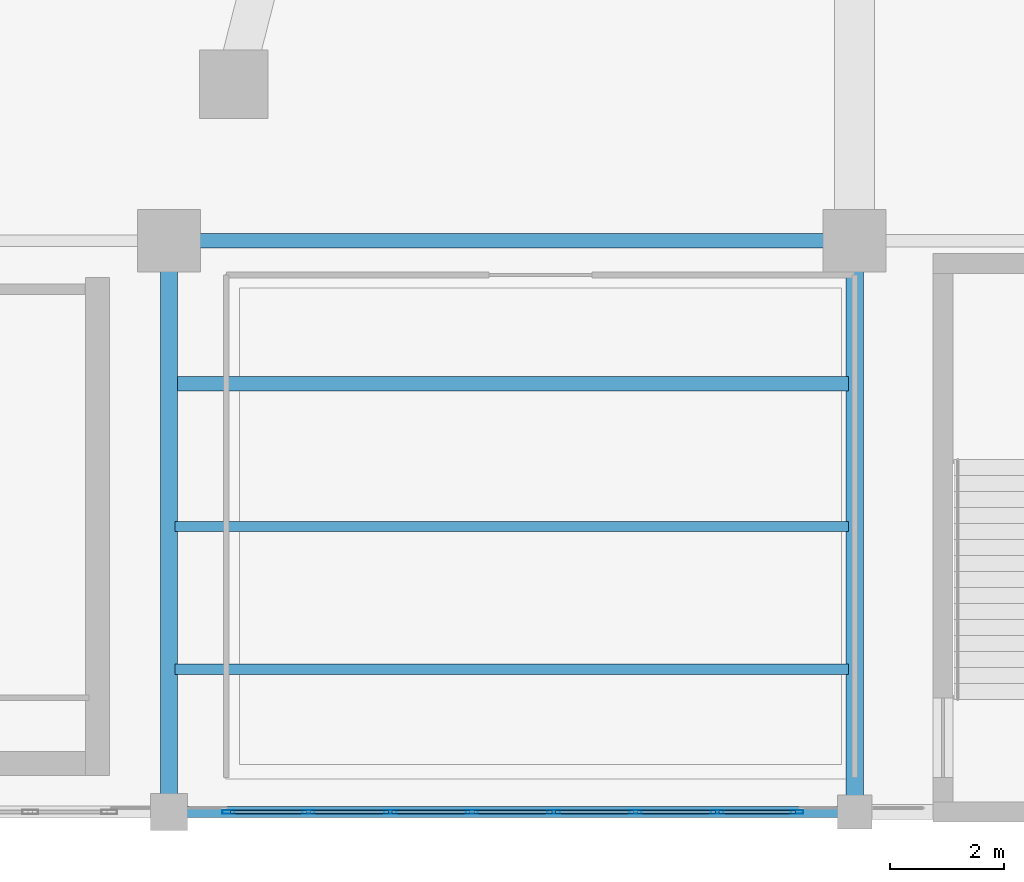
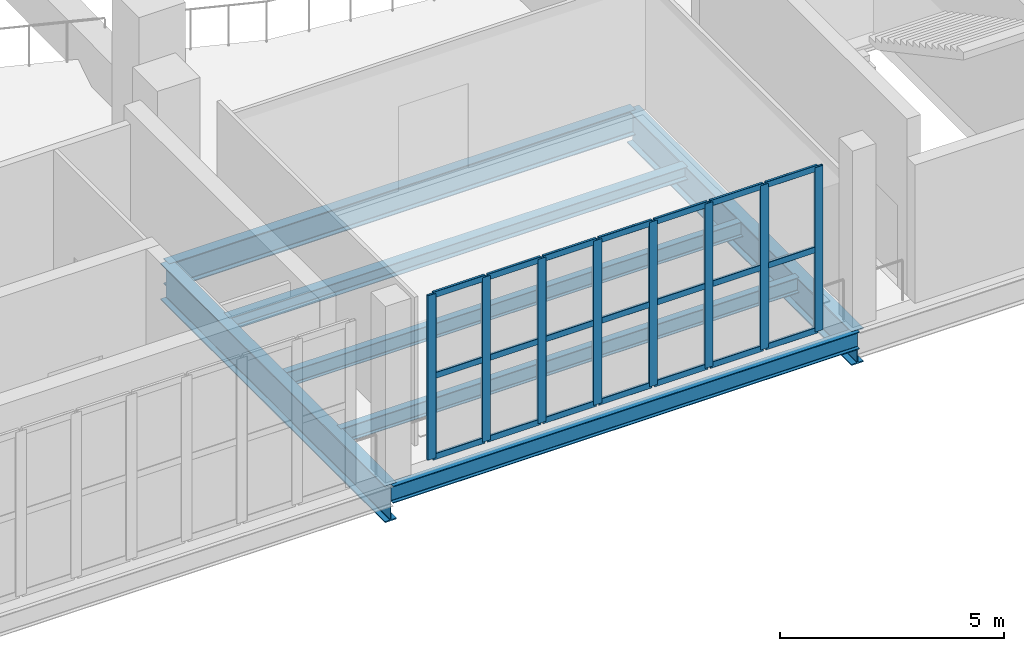
# One storey, part 40 of 136: 29 members, 7 beams, 1 element without a shape of its own.
"""IFC4 building model written with IfcOpenShell, lengths in metres."""

from ifc_helpers import new_model, si_unit, direction, frame, origin, origin_2d, place, context, subcontext, project, spatial, hollow_rectangle, i_section, extrude, material, layer, layer_set, material_profile, profile_set, type_object, element, aggregate, save


model = new_model("IFC4")

# Units and contexts
model_context = context("Model", 3, precision=1e-05, world=origin(), true_north=direction((0.0, 1.0)))
body_context = subcontext(model_context, "Body", "Model", "MODEL_VIEW")
ifc_project = project(units=[si_unit("LENGTHUNIT", "METRE"), si_unit("AREAUNIT", "SQUARE_METRE"), si_unit("VOLUMEUNIT", "CUBIC_METRE"), si_unit("PLANEANGLEUNIT", "RADIAN"), si_unit("MASSUNIT", "GRAM", prefix="KILO")], contexts=[model_context])

# Site, building, storey
site_placement = place(None, origin())
site = spatial("IfcSite", under=ifc_project, at=site_placement, CompositionType="ELEMENT")
building_placement = place(site_placement, origin())
building = spatial("IfcBuilding", under=site, at=building_placement, Name="Brinegate Civic Arena", CompositionType="ELEMENT")
storey_placement = place(building_placement, frame((0.0, 0.0, 5.39990234375)))
storey = spatial("IfcBuildingStorey", under=building, at=storey_placement, Name="L01", CompositionType="ELEMENT", Elevation=5.39990234375)

# Curtain wall, members
ifc_material_1 = material(Name="Marine grade aluminium", Category="aluminium")
ifc_layer = layer(ifc_material_1, 0.25, Name="Marine grade aluminium")
ifc_layer_set = layer_set([ifc_layer], Name="Marine grade aluminium")
curtain_wall_type = type_object("IfcCurtainWallType", Name="CW-PORTAL-SOUTH-02", PredefinedType="USERDEFINED", material=ifc_layer_set)
curtain_wall_placement = place(storey_placement, origin())
curtain_wall = element("IfcCurtainWall", 1, at=curtain_wall_placement, inside=storey, type_object=curtain_wall_type, Name="Curtain Wall CWA-067", ObjectType="PORTAL CURTAIN WALL", PredefinedType="USERDEFINED")
ifc_material_profile_1 = material_profile(ifc_material_1, hollow_rectangle(XDim=0.06494140625, YDim=0.219970703125, WallThickness=0.006103515625, InnerFilletRadius=0.00390625, OuterFilletRadius=0.008056640625, at=origin_2d()), Name="MUL65X220")
ifc_profile_set_1 = profile_set([ifc_material_profile_1], Name="Marine grade aluminium")
member_type_1 = type_object("IfcMemberType", Name="CW-MULLION-65X220", PredefinedType="MULLION", material=ifc_profile_set_1)
member_1_placement = place(storey_placement, frame((97.04248046875, 0.0, 0.0), z_axis=(0.0, 0.0, 1.0), x_axis=(0.0, 1.0, 0.0)))
member_1 = element("IfcMember", 2, at=member_1_placement, type_object=member_type_1, Name="CWA-067 mullion 1", PredefinedType="MULLION", context=body_context, shape_type="SweptSolid", body=[
    extrude(hollow_rectangle(XDim=0.06494140625, YDim=0.219970703125, WallThickness=0.006103515625, InnerFilletRadius=0.00390625, OuterFilletRadius=0.008056640625, at=origin_2d()), origin(), (0.0, 0.0, 1.0), 4.47021484375),
])
member_2_placement = place(storey_placement, frame((98.44091796875, 0.0, 0.0), z_axis=(0.0, 0.0, 1.0), x_axis=(0.0, 1.0, 0.0)))
member_2 = element("IfcMember", 3, at=member_2_placement, type_object=member_type_1, Name="CWA-067 mullion 2", PredefinedType="MULLION", context=body_context, shape_type="SweptSolid", body=[
    extrude(hollow_rectangle(XDim=0.06494140625, YDim=0.219970703125, WallThickness=0.006103515625, InnerFilletRadius=0.00390625, OuterFilletRadius=0.008056640625, at=origin_2d()), origin(), (0.0, 0.0, 1.0), 4.47021484375),
])
member_3_placement = place(storey_placement, frame((99.871826171875, 0.0, 0.0), z_axis=(0.0, 0.0, 1.0), x_axis=(0.0, 1.0, 0.0)))
member_3 = element("IfcMember", 4, at=member_3_placement, type_object=member_type_1, Name="CWA-067 mullion 3", PredefinedType="MULLION", context=body_context, shape_type="SweptSolid", body=[
    extrude(hollow_rectangle(XDim=0.06494140625, YDim=0.219970703125, WallThickness=0.006103515625, InnerFilletRadius=0.00390625, OuterFilletRadius=0.008056640625, at=origin_2d()), origin(), (0.0, 0.0, 1.0), 4.47021484375),
])
member_4_placement = place(storey_placement, frame((101.302490234375, 0.0, 0.0), z_axis=(0.0, 0.0, 1.0), x_axis=(0.0, 1.0, 0.0)))
member_4 = element("IfcMember", 5, at=member_4_placement, type_object=member_type_1, Name="CWA-067 mullion 4", PredefinedType="MULLION", context=body_context, shape_type="SweptSolid", body=[
    extrude(hollow_rectangle(XDim=0.06494140625, YDim=0.219970703125, WallThickness=0.006103515625, InnerFilletRadius=0.00390625, OuterFilletRadius=0.008056640625, at=origin_2d()), origin(), (0.0, 0.0, 1.0), 4.47021484375),
])
member_5_placement = place(storey_placement, frame((102.7333984375, 0.0, 0.0), z_axis=(0.0, 0.0, 1.0), x_axis=(0.0, 1.0, 0.0)))
member_5 = element("IfcMember", 6, at=member_5_placement, type_object=member_type_1, Name="CWA-067 mullion 5", PredefinedType="MULLION", context=body_context, shape_type="SweptSolid", body=[
    extrude(hollow_rectangle(XDim=0.06494140625, YDim=0.219970703125, WallThickness=0.006103515625, InnerFilletRadius=0.00390625, OuterFilletRadius=0.008056640625, at=origin_2d()), origin(), (0.0, 0.0, 1.0), 4.47021484375),
])
member_6_placement = place(storey_placement, frame((104.164306640625, 0.0, 0.0), z_axis=(0.0, 0.0, 1.0), x_axis=(0.0, 1.0, 0.0)))
member_6 = element("IfcMember", 7, at=member_6_placement, type_object=member_type_1, Name="CWA-067 mullion 6", PredefinedType="MULLION", context=body_context, shape_type="SweptSolid", body=[
    extrude(hollow_rectangle(XDim=0.06494140625, YDim=0.219970703125, WallThickness=0.006103515625, InnerFilletRadius=0.00390625, OuterFilletRadius=0.008056640625, at=origin_2d()), origin(), (0.0, 0.0, 1.0), 4.47021484375),
])
member_7_placement = place(storey_placement, frame((105.59521484375, 0.0, 0.0), z_axis=(0.0, 0.0, 1.0), x_axis=(0.0, 1.0, 0.0)))
member_7 = element("IfcMember", 8, at=member_7_placement, type_object=member_type_1, Name="CWA-067 mullion 7", PredefinedType="MULLION", context=body_context, shape_type="SweptSolid", body=[
    extrude(hollow_rectangle(XDim=0.06494140625, YDim=0.219970703125, WallThickness=0.006103515625, InnerFilletRadius=0.00390625, OuterFilletRadius=0.008056640625, at=origin_2d()), origin(), (0.0, 0.0, 1.0), 4.47021484375),
])
member_8_placement = place(storey_placement, frame((106.993408203125, 0.0, 0.0), z_axis=(0.0, 0.0, 1.0), x_axis=(0.0, 1.0, 0.0)))
member_8 = element("IfcMember", 9, at=member_8_placement, type_object=member_type_1, Name="CWA-067 mullion 8", PredefinedType="MULLION", context=body_context, shape_type="SweptSolid", body=[
    extrude(hollow_rectangle(XDim=0.06494140625, YDim=0.219970703125, WallThickness=0.006103515625, InnerFilletRadius=0.00390625, OuterFilletRadius=0.008056640625, at=origin_2d()), origin(), (0.0, 0.0, 1.0), 4.47021484375),
])
ifc_material_profile_2 = material_profile(ifc_material_1, hollow_rectangle(XDim=0.06494140625, YDim=0.1650390625, WallThickness=0.0048828125, InnerFilletRadius=0.00390625, OuterFilletRadius=0.008056640625, at=origin_2d()), Name="TRN65X165")
ifc_profile_set_2 = profile_set([ifc_material_profile_2], Name="Marine grade aluminium")
member_type_2 = type_object("IfcMemberType", Name="CW-TRANSOM-65X165", PredefinedType="USERDEFINED", material=ifc_profile_set_2)
member_9_placement = place(storey_placement, frame((97.074951171875, 0.0, 0.03271484375), z_axis=(1.0, 0.0, 0.0), x_axis=(0.0, 1.0, 0.0)))
member_9 = element("IfcMember", 10, at=member_9_placement, type_object=member_type_2, Name="CWA-067 transom 1.1", ObjectType="TRANSOM", PredefinedType="USERDEFINED", context=body_context, shape_type="SweptSolid", body=[
    extrude(hollow_rectangle(XDim=0.06494140625, YDim=0.1650390625, WallThickness=0.0048828125, InnerFilletRadius=0.00390625, OuterFilletRadius=0.008056640625, at=origin_2d()), origin(), (0.0, 0.0, 1.0), 1.33349609375),
])
member_10_placement = place(storey_placement, frame((97.074951171875, 0.0, 2.235107421875), z_axis=(1.0, 0.0, 0.0), x_axis=(0.0, 1.0, 0.0)))
member_10 = element("IfcMember", 11, at=member_10_placement, type_object=member_type_2, Name="CWA-067 transom 1.2", ObjectType="TRANSOM", PredefinedType="USERDEFINED", context=body_context, shape_type="SweptSolid", body=[
    extrude(hollow_rectangle(XDim=0.06494140625, YDim=0.1650390625, WallThickness=0.0048828125, InnerFilletRadius=0.00390625, OuterFilletRadius=0.008056640625, at=origin_2d()), origin(), (0.0, 0.0, 1.0), 1.33349609375),
])
member_11_placement = place(storey_placement, frame((97.074951171875, 0.0, 4.4375), z_axis=(1.0, 0.0, 0.0), x_axis=(0.0, 1.0, 0.0)))
member_11 = element("IfcMember", 12, at=member_11_placement, type_object=member_type_2, Name="CWA-067 transom 1.3", ObjectType="TRANSOM", PredefinedType="USERDEFINED", context=body_context, shape_type="SweptSolid", body=[
    extrude(hollow_rectangle(XDim=0.06494140625, YDim=0.1650390625, WallThickness=0.0048828125, InnerFilletRadius=0.00390625, OuterFilletRadius=0.008056640625, at=origin_2d()), origin(), (0.0, 0.0, 1.0), 1.33349609375),
])
member_12_placement = place(storey_placement, frame((98.473388671875, 0.0, 0.03271484375), z_axis=(1.0, 0.0, 0.0), x_axis=(0.0, 1.0, 0.0)))
member_12 = element("IfcMember", 13, at=member_12_placement, type_object=member_type_2, Name="CWA-067 transom 2.1", ObjectType="TRANSOM", PredefinedType="USERDEFINED", context=body_context, shape_type="SweptSolid", body=[
    extrude(hollow_rectangle(XDim=0.06494140625, YDim=0.1650390625, WallThickness=0.0048828125, InnerFilletRadius=0.00390625, OuterFilletRadius=0.008056640625, at=origin_2d()), origin(), (0.0, 0.0, 1.0), 1.36572265625),
])
member_13_placement = place(storey_placement, frame((98.473388671875, 0.0, 2.235107421875), z_axis=(1.0, 0.0, 0.0), x_axis=(0.0, 1.0, 0.0)))
member_13 = element("IfcMember", 14, at=member_13_placement, type_object=member_type_2, Name="CWA-067 transom 2.2", ObjectType="TRANSOM", PredefinedType="USERDEFINED", context=body_context, shape_type="SweptSolid", body=[
    extrude(hollow_rectangle(XDim=0.06494140625, YDim=0.1650390625, WallThickness=0.0048828125, InnerFilletRadius=0.00390625, OuterFilletRadius=0.008056640625, at=origin_2d()), origin(), (0.0, 0.0, 1.0), 1.36572265625),
])
member_14_placement = place(storey_placement, frame((98.473388671875, 0.0, 4.4375), z_axis=(1.0, 0.0, 0.0), x_axis=(0.0, 1.0, 0.0)))
member_14 = element("IfcMember", 15, at=member_14_placement, type_object=member_type_2, Name="CWA-067 transom 2.3", ObjectType="TRANSOM", PredefinedType="USERDEFINED", context=body_context, shape_type="SweptSolid", body=[
    extrude(hollow_rectangle(XDim=0.06494140625, YDim=0.1650390625, WallThickness=0.0048828125, InnerFilletRadius=0.00390625, OuterFilletRadius=0.008056640625, at=origin_2d()), origin(), (0.0, 0.0, 1.0), 1.36572265625),
])
member_15_placement = place(storey_placement, frame((99.904296875, 0.0, 0.03271484375), z_axis=(1.0, 0.0, 0.0), x_axis=(0.0, 1.0, 0.0)))
member_15 = element("IfcMember", 16, at=member_15_placement, type_object=member_type_2, Name="CWA-067 transom 3.1", ObjectType="TRANSOM", PredefinedType="USERDEFINED", context=body_context, shape_type="SweptSolid", body=[
    extrude(hollow_rectangle(XDim=0.06494140625, YDim=0.1650390625, WallThickness=0.0048828125, InnerFilletRadius=0.00390625, OuterFilletRadius=0.008056640625, at=origin_2d()), origin(), (0.0, 0.0, 1.0), 1.36572265625),
])
member_16_placement = place(storey_placement, frame((99.904296875, 0.0, 2.235107421875), z_axis=(1.0, 0.0, 0.0), x_axis=(0.0, 1.0, 0.0)))
member_16 = element("IfcMember", 17, at=member_16_placement, type_object=member_type_2, Name="CWA-067 transom 3.2", ObjectType="TRANSOM", PredefinedType="USERDEFINED", context=body_context, shape_type="SweptSolid", body=[
    extrude(hollow_rectangle(XDim=0.06494140625, YDim=0.1650390625, WallThickness=0.0048828125, InnerFilletRadius=0.00390625, OuterFilletRadius=0.008056640625, at=origin_2d()), origin(), (0.0, 0.0, 1.0), 1.36572265625),
])
member_17_placement = place(storey_placement, frame((99.904296875, 0.0, 4.4375), z_axis=(1.0, 0.0, 0.0), x_axis=(0.0, 1.0, 0.0)))
member_17 = element("IfcMember", 18, at=member_17_placement, type_object=member_type_2, Name="CWA-067 transom 3.3", ObjectType="TRANSOM", PredefinedType="USERDEFINED", context=body_context, shape_type="SweptSolid", body=[
    extrude(hollow_rectangle(XDim=0.06494140625, YDim=0.1650390625, WallThickness=0.0048828125, InnerFilletRadius=0.00390625, OuterFilletRadius=0.008056640625, at=origin_2d()), origin(), (0.0, 0.0, 1.0), 1.36572265625),
])
member_18_placement = place(storey_placement, frame((101.3349609375, 0.0, 0.03271484375), z_axis=(1.0, 0.0, 0.0), x_axis=(0.0, 1.0, 0.0)))
member_18 = element("IfcMember", 19, at=member_18_placement, type_object=member_type_2, Name="CWA-067 transom 4.1", ObjectType="TRANSOM", PredefinedType="USERDEFINED", context=body_context, shape_type="SweptSolid", body=[
    extrude(hollow_rectangle(XDim=0.06494140625, YDim=0.1650390625, WallThickness=0.0048828125, InnerFilletRadius=0.00390625, OuterFilletRadius=0.008056640625, at=origin_2d()), origin(), (0.0, 0.0, 1.0), 1.365966796875),
])
member_19_placement = place(storey_placement, frame((101.3349609375, 0.0, 2.235107421875), z_axis=(1.0, 0.0, 0.0), x_axis=(0.0, 1.0, 0.0)))
member_19 = element("IfcMember", 20, at=member_19_placement, type_object=member_type_2, Name="CWA-067 transom 4.2", ObjectType="TRANSOM", PredefinedType="USERDEFINED", context=body_context, shape_type="SweptSolid", body=[
    extrude(hollow_rectangle(XDim=0.06494140625, YDim=0.1650390625, WallThickness=0.0048828125, InnerFilletRadius=0.00390625, OuterFilletRadius=0.008056640625, at=origin_2d()), origin(), (0.0, 0.0, 1.0), 1.365966796875),
])
member_20_placement = place(storey_placement, frame((101.3349609375, 0.0, 4.4375), z_axis=(1.0, 0.0, 0.0), x_axis=(0.0, 1.0, 0.0)))
member_20 = element("IfcMember", 21, at=member_20_placement, type_object=member_type_2, Name="CWA-067 transom 4.3", ObjectType="TRANSOM", PredefinedType="USERDEFINED", context=body_context, shape_type="SweptSolid", body=[
    extrude(hollow_rectangle(XDim=0.06494140625, YDim=0.1650390625, WallThickness=0.0048828125, InnerFilletRadius=0.00390625, OuterFilletRadius=0.008056640625, at=origin_2d()), origin(), (0.0, 0.0, 1.0), 1.365966796875),
])
member_21_placement = place(storey_placement, frame((102.765869140625, 0.0, 0.03271484375), z_axis=(1.0, 0.0, 0.0), x_axis=(0.0, 1.0, 0.0)))
member_21 = element("IfcMember", 22, at=member_21_placement, type_object=member_type_2, Name="CWA-067 transom 5.1", ObjectType="TRANSOM", PredefinedType="USERDEFINED", context=body_context, shape_type="SweptSolid", body=[
    extrude(hollow_rectangle(XDim=0.06494140625, YDim=0.1650390625, WallThickness=0.0048828125, InnerFilletRadius=0.00390625, OuterFilletRadius=0.008056640625, at=origin_2d()), origin(), (0.0, 0.0, 1.0), 1.365966796875),
])
member_22_placement = place(storey_placement, frame((102.765869140625, 0.0, 2.235107421875), z_axis=(1.0, 0.0, 0.0), x_axis=(0.0, 1.0, 0.0)))
member_22 = element("IfcMember", 23, at=member_22_placement, type_object=member_type_2, Name="CWA-067 transom 5.2", ObjectType="TRANSOM", PredefinedType="USERDEFINED", context=body_context, shape_type="SweptSolid", body=[
    extrude(hollow_rectangle(XDim=0.06494140625, YDim=0.1650390625, WallThickness=0.0048828125, InnerFilletRadius=0.00390625, OuterFilletRadius=0.008056640625, at=origin_2d()), origin(), (0.0, 0.0, 1.0), 1.365966796875),
])
member_23_placement = place(storey_placement, frame((102.765869140625, 0.0, 4.4375), z_axis=(1.0, 0.0, 0.0), x_axis=(0.0, 1.0, 0.0)))
member_23 = element("IfcMember", 24, at=member_23_placement, type_object=member_type_2, Name="CWA-067 transom 5.3", ObjectType="TRANSOM", PredefinedType="USERDEFINED", context=body_context, shape_type="SweptSolid", body=[
    extrude(hollow_rectangle(XDim=0.06494140625, YDim=0.1650390625, WallThickness=0.0048828125, InnerFilletRadius=0.00390625, OuterFilletRadius=0.008056640625, at=origin_2d()), origin(), (0.0, 0.0, 1.0), 1.365966796875),
])
member_24_placement = place(storey_placement, frame((104.19677734375, 0.0, 0.03271484375), z_axis=(1.0, 0.0, 0.0), x_axis=(0.0, 1.0, 0.0)))
member_24 = element("IfcMember", 25, at=member_24_placement, type_object=member_type_2, Name="CWA-067 transom 6.1", ObjectType="TRANSOM", PredefinedType="USERDEFINED", context=body_context, shape_type="SweptSolid", body=[
    extrude(hollow_rectangle(XDim=0.06494140625, YDim=0.1650390625, WallThickness=0.0048828125, InnerFilletRadius=0.00390625, OuterFilletRadius=0.008056640625, at=origin_2d()), origin(), (0.0, 0.0, 1.0), 1.365966796875),
])
member_25_placement = place(storey_placement, frame((104.19677734375, 0.0, 2.235107421875), z_axis=(1.0, 0.0, 0.0), x_axis=(0.0, 1.0, 0.0)))
member_25 = element("IfcMember", 26, at=member_25_placement, type_object=member_type_2, Name="CWA-067 transom 6.2", ObjectType="TRANSOM", PredefinedType="USERDEFINED", context=body_context, shape_type="SweptSolid", body=[
    extrude(hollow_rectangle(XDim=0.06494140625, YDim=0.1650390625, WallThickness=0.0048828125, InnerFilletRadius=0.00390625, OuterFilletRadius=0.008056640625, at=origin_2d()), origin(), (0.0, 0.0, 1.0), 1.365966796875),
])
member_26_placement = place(storey_placement, frame((104.19677734375, 0.0, 4.4375), z_axis=(1.0, 0.0, 0.0), x_axis=(0.0, 1.0, 0.0)))
member_26 = element("IfcMember", 27, at=member_26_placement, type_object=member_type_2, Name="CWA-067 transom 6.3", ObjectType="TRANSOM", PredefinedType="USERDEFINED", context=body_context, shape_type="SweptSolid", body=[
    extrude(hollow_rectangle(XDim=0.06494140625, YDim=0.1650390625, WallThickness=0.0048828125, InnerFilletRadius=0.00390625, OuterFilletRadius=0.008056640625, at=origin_2d()), origin(), (0.0, 0.0, 1.0), 1.365966796875),
])
member_27_placement = place(storey_placement, frame((105.627685546875, 0.0, 0.03271484375), z_axis=(1.0, 0.0, 0.0), x_axis=(0.0, 1.0, 0.0)))
member_27 = element("IfcMember", 28, at=member_27_placement, type_object=member_type_2, Name="CWA-067 transom 7.1", ObjectType="TRANSOM", PredefinedType="USERDEFINED", context=body_context, shape_type="SweptSolid", body=[
    extrude(hollow_rectangle(XDim=0.06494140625, YDim=0.1650390625, WallThickness=0.0048828125, InnerFilletRadius=0.00390625, OuterFilletRadius=0.008056640625, at=origin_2d()), origin(), (0.0, 0.0, 1.0), 1.333251953125),
])
member_28_placement = place(storey_placement, frame((105.627685546875, 0.0, 2.235107421875), z_axis=(1.0, 0.0, 0.0), x_axis=(0.0, 1.0, 0.0)))
member_28 = element("IfcMember", 29, at=member_28_placement, type_object=member_type_2, Name="CWA-067 transom 7.2", ObjectType="TRANSOM", PredefinedType="USERDEFINED", context=body_context, shape_type="SweptSolid", body=[
    extrude(hollow_rectangle(XDim=0.06494140625, YDim=0.1650390625, WallThickness=0.0048828125, InnerFilletRadius=0.00390625, OuterFilletRadius=0.008056640625, at=origin_2d()), origin(), (0.0, 0.0, 1.0), 1.333251953125),
])
member_29_placement = place(storey_placement, frame((105.627685546875, 0.0, 4.4375), z_axis=(1.0, 0.0, 0.0), x_axis=(0.0, 1.0, 0.0)))
member_29 = element("IfcMember", 30, at=member_29_placement, type_object=member_type_2, Name="CWA-067 transom 7.3", ObjectType="TRANSOM", PredefinedType="USERDEFINED", context=body_context, shape_type="SweptSolid", body=[
    extrude(hollow_rectangle(XDim=0.06494140625, YDim=0.1650390625, WallThickness=0.0048828125, InnerFilletRadius=0.00390625, OuterFilletRadius=0.008056640625, at=origin_2d()), origin(), (0.0, 0.0, 1.0), 1.333251953125),
])
aggregate(curtain_wall, [member_1, member_2, member_3, member_4, member_5, member_6, member_7, member_8, member_9, member_10, member_11, member_12, member_13, member_14, member_15, member_16, member_17, member_18, member_19, member_20, member_21, member_22, member_23, member_24, member_25, member_26, member_27, member_28, member_29])

# Beams
ifc_material_2 = material(Name="Steel S355", Category="steel")
ifc_material_profile_3 = material_profile(ifc_material_2, i_section(OverallWidth=0.300048828125, OverallDepth=1.0, WebThickness=0.01904296875, FlangeThickness=0.031982421875, FilletRadius=0.02392578125, at=origin_2d()), Name="W1000X321")
ifc_profile_set_3 = profile_set([ifc_material_profile_3], Name="Steel S355")
beam_type_1 = type_object("IfcBeamType", Name="GIRDER-W1000X321", PredefinedType="BEAM", material=ifc_profile_set_3)
beam_1_placement = place(storey_placement, frame((96.0, 0.0, -0.83984375), z_axis=(0.0, 1.0, 0.0), x_axis=(-1.0, 0.0, 0.0)))
element("IfcBeam", 31, at=beam_1_placement, inside=storey, type_object=beam_type_1, Name="Floor Girder BM-L01-GY-08-00", PredefinedType="BEAM", context=body_context, shape_type="SweptSolid", body=[
    extrude(i_section(OverallWidth=0.300048828125, OverallDepth=1.0, WebThickness=0.01904296875, FlangeThickness=0.031982421875, FilletRadius=0.02392578125, at=origin_2d()), origin(), (0.0, 0.0, 1.0), 10.0),
])
ifc_material_profile_4 = material_profile(ifc_material_2, i_section(OverallWidth=0.30810546875, OverallDepth=0.927001953125, WebThickness=0.01904296875, FlangeThickness=0.031982421875, FilletRadius=0.02392578125, at=origin_2d()), Name="W920X289")
ifc_profile_set_4 = profile_set([ifc_material_profile_4], Name="Steel S355")
beam_type_2 = type_object("IfcBeamType", Name="GIRDER-W920X289", PredefinedType="BEAM", material=ifc_profile_set_4)
beam_2_placement = place(storey_placement, frame((108.0, 0.0, -0.802978515625), z_axis=(0.0, 1.0, 0.0), x_axis=(-1.0, 0.0, 0.0)))
element("IfcBeam", 32, at=beam_2_placement, inside=storey, type_object=beam_type_2, Name="Floor Girder BM-L01-GY-09-00", PredefinedType="BEAM", context=body_context, shape_type="SweptSolid", body=[
    extrude(i_section(OverallWidth=0.30810546875, OverallDepth=0.927001953125, WebThickness=0.01904296875, FlangeThickness=0.031982421875, FilletRadius=0.02392578125, at=origin_2d()), origin(), (0.0, 0.0, 1.0), 10.0),
])
ifc_material_profile_5 = material_profile(ifc_material_2, i_section(OverallWidth=0.25390625, OverallDepth=0.35302734375, WebThickness=0.010009765625, FlangeThickness=0.01611328125, FilletRadius=0.013916015625, at=origin_2d()), Name="W360X91")
ifc_profile_set_5 = profile_set([ifc_material_profile_5], Name="Steel S355")
beam_type_3 = type_object("IfcBeamType", Name="JOIST-W360X91", PredefinedType="JOIST", material=ifc_profile_set_5)
beam_3_placement = place(storey_placement, frame((96.10595703125, 7.5, -0.515869140625), z_axis=(1.0, 0.0, 0.0), x_axis=(0.0, 1.0, 0.0)))
element("IfcBeam", 33, at=beam_3_placement, inside=storey, type_object=beam_type_3, Name="Secondary Joist BM-L01-JX-08-00-3", PredefinedType="JOIST", context=body_context, shape_type="SweptSolid", body=[
    extrude(i_section(OverallWidth=0.25390625, OverallDepth=0.35302734375, WebThickness=0.010009765625, FlangeThickness=0.01611328125, FilletRadius=0.013916015625, at=origin_2d()), origin(), (0.0, 0.0, 1.0), 11.7880859375),
])
ifc_material_profile_6 = material_profile(ifc_material_2, i_section(OverallWidth=0.178955078125, OverallDepth=0.409912109375, WebThickness=0.009033203125, FlangeThickness=0.013916015625, FilletRadius=0.013916015625, at=origin_2d()), Name="W410X67")
ifc_profile_set_6 = profile_set([ifc_material_profile_6], Name="Steel S355")
beam_type_4 = type_object("IfcBeamType", Name="JOIST-W410X67", PredefinedType="JOIST", material=ifc_profile_set_6)
beam_4_placement = place(storey_placement, frame((96.10595703125, 5.0, -0.544921875), z_axis=(1.0, 0.0, 0.0), x_axis=(0.0, 1.0, 0.0)))
element("IfcBeam", 34, at=beam_4_placement, inside=storey, type_object=beam_type_4, Name="Secondary Joist BM-L01-JX-08-00-2", PredefinedType="JOIST", context=body_context, shape_type="SweptSolid", body=[
    extrude(i_section(OverallWidth=0.178955078125, OverallDepth=0.409912109375, WebThickness=0.009033203125, FlangeThickness=0.013916015625, FilletRadius=0.013916015625, at=origin_2d()), origin(), (0.0, 0.0, 1.0), 11.7880859375),
])
ifc_material_profile_7 = material_profile(ifc_material_2, i_section(OverallWidth=0.180908203125, OverallDepth=0.4169921875, WebThickness=0.010986328125, FlangeThickness=0.01806640625, FilletRadius=0.013916015625, at=origin_2d()), Name="W410X85")
ifc_profile_set_7 = profile_set([ifc_material_profile_7], Name="Steel S355")
beam_type_5 = type_object("IfcBeamType", Name="JOIST-W410X85", PredefinedType="JOIST", material=ifc_profile_set_7)
beam_5_placement = place(storey_placement, frame((96.10595703125, 2.5, -0.5478515625), z_axis=(1.0, 0.0, 0.0), x_axis=(0.0, 1.0, 0.0)))
element("IfcBeam", 35, at=beam_5_placement, inside=storey, type_object=beam_type_5, Name="Secondary Joist BM-L01-JX-08-00-1", PredefinedType="JOIST", context=body_context, shape_type="SweptSolid", body=[
    extrude(i_section(OverallWidth=0.180908203125, OverallDepth=0.4169921875, WebThickness=0.010986328125, FlangeThickness=0.01806640625, FilletRadius=0.013916015625, at=origin_2d()), origin(), (0.0, 0.0, 1.0), 11.7880859375),
])
ifc_material_profile_8 = material_profile(ifc_material_2, i_section(OverallWidth=0.193115234375, OverallDepth=0.466064453125, WebThickness=0.010986328125, FlangeThickness=0.01904296875, FilletRadius=0.014892578125, at=origin_2d()), Name="W460X97")
ifc_profile_set_8 = profile_set([ifc_material_profile_8], Name="Steel S355")
beam_type_6 = type_object("IfcBeamType", Name="SPANDREL-W460X97", PredefinedType="SPANDREL", material=ifc_profile_set_8)
beam_6_placement = place(storey_placement, frame((96.0, 0.0, -0.572998046875), z_axis=(1.0, 0.0, 0.0), x_axis=(0.0, 1.0, 0.0)))
element("IfcBeam", 36, at=beam_6_placement, inside=storey, type_object=beam_type_6, Name="Floor Girder BM-L01-GX-08-00", PredefinedType="SPANDREL", context=body_context, shape_type="SweptSolid", body=[
    extrude(i_section(OverallWidth=0.193115234375, OverallDepth=0.466064453125, WebThickness=0.010986328125, FlangeThickness=0.01904296875, FilletRadius=0.014892578125, at=origin_2d()), origin(), (0.0, 0.0, 1.0), 12.0),
])
ifc_material_profile_9 = material_profile(ifc_material_2, i_section(OverallWidth=0.256103515625, OverallDepth=0.693115234375, WebThickness=0.014892578125, FlangeThickness=0.02392578125, FilletRadius=0.01806640625, at=origin_2d()), Name="W690X170")
ifc_profile_set_9 = profile_set([ifc_material_profile_9], Name="Steel S355")
beam_type_7 = type_object("IfcBeamType", Name="SPANDREL-W690X170", PredefinedType="SPANDREL", material=ifc_profile_set_9)
beam_7_placement = place(storey_placement, frame((96.0, 10.0, -0.685791015625), z_axis=(1.0, 0.0, 0.0), x_axis=(0.0, 1.0, 0.0)))
element("IfcBeam", 37, at=beam_7_placement, inside=storey, type_object=beam_type_7, Name="Floor Girder BM-L01-GX-08-01", PredefinedType="SPANDREL", context=body_context, shape_type="SweptSolid", body=[
    extrude(i_section(OverallWidth=0.256103515625, OverallDepth=0.693115234375, WebThickness=0.014892578125, FlangeThickness=0.02392578125, FilletRadius=0.01806640625, at=origin_2d()), origin(), (0.0, 0.0, 1.0), 12.0),
])

save(model, "model.ifc")
